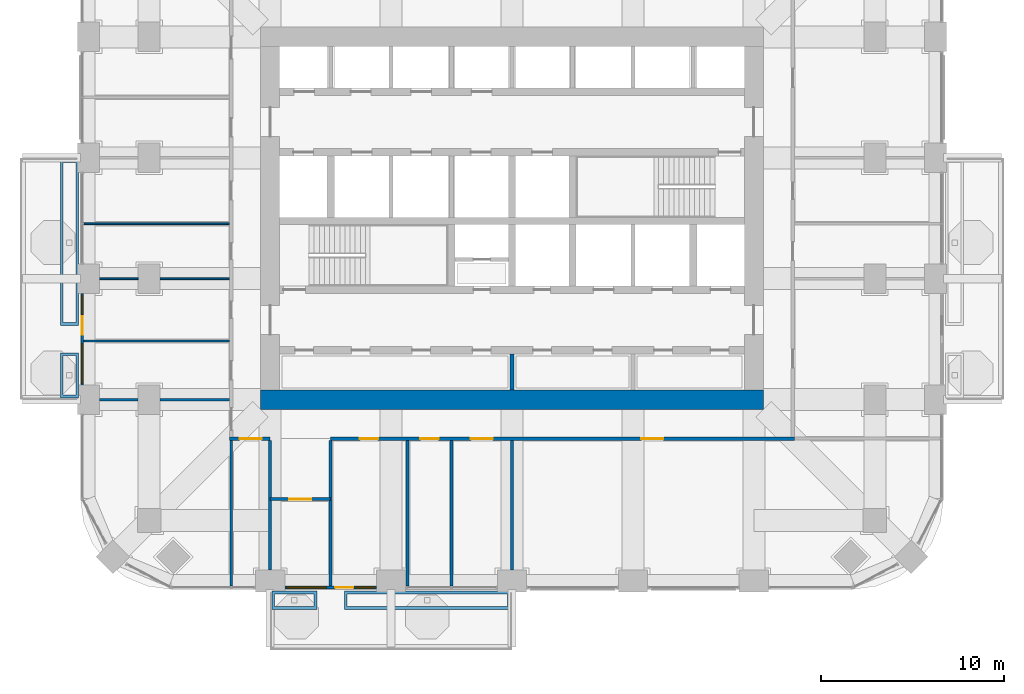
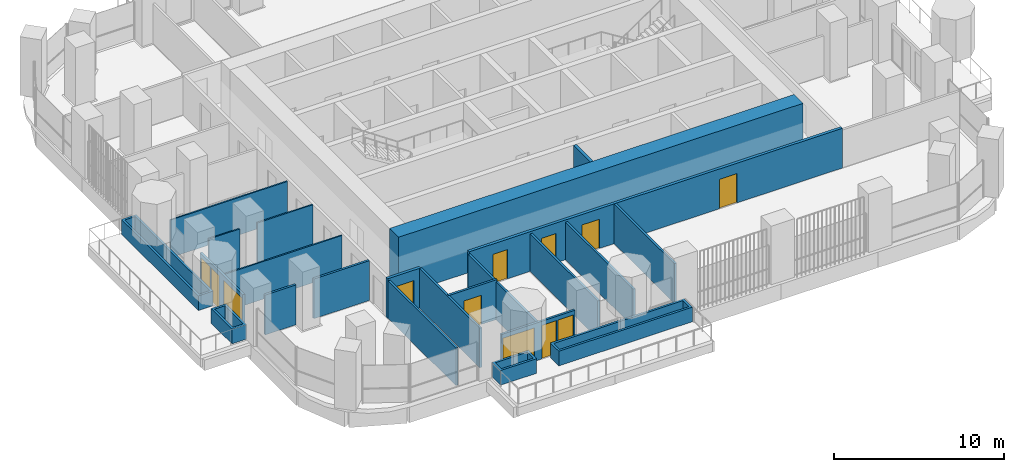
# One storey, part 11 of 19: 23 walls, 8 doors, 4 windows, 12 openings.
"""IFC4 building model written with IfcOpenShell, lengths in metres."""

import ifcopenshell
import ifcopenshell.guid

model = None  # the IFC model being written
_history = None  # IfcOwnerHistory: only IFC2X3 demands one
_inside = {}  # id of a spatial element -> (the spatial element, [elements in it])
_under = {}  # id of a project, library or spatial element -> (it, [spatial elements below it])
_declared = {}  # id of a project -> (the project, [libraries it declares])
_typed = {}  # id of a type object -> (the type object, [elements of that type])
_made_of = {}  # id of a material, layer set ... -> (it, [elements and type objects made of it])


def new_model(schema):
    """Start an empty IFC model of exactly this schema.

    Asked for "IFC4X3", IfcOpenShell would pick the latest addendum, in which some entities
    have other attributes; the version numbers below select the first issue.
    IFC2X3 requires an IfcOwnerHistory on every rooted entity: one is made here for all.
    """
    global model, _history
    if schema == "IFC4X3":
        model = ifcopenshell.file(schema_version=(4, 3, 0, 0))
    else:
        model = ifcopenshell.file(schema=schema)
    _inside.clear()
    _under.clear()
    _declared.clear()
    _typed.clear()
    _made_of.clear()
    _history = None
    if model.schema == "IFC2X3":
        org = make("IfcOrganization", Name="unknown")
        user = make(
            "IfcPersonAndOrganization",
            ThePerson=make("IfcPerson", FamilyName="unknown"),
            TheOrganization=org,
        )
        app = make(
            "IfcApplication",
            ApplicationDeveloper=org,
            Version="unknown",
            ApplicationFullName="unknown",
            ApplicationIdentifier="unknown",
        )
        _history = make(
            "IfcOwnerHistory",
            OwningUser=user,
            OwningApplication=app,
            ChangeAction="ADDED",
            CreationDate=0,
        )
    return model


def make(cls, **values):
    """One entity of the class cls with the attributes given. An attribute that is None is left unset."""
    return model.create_entity(
        cls, **{name: value for name, value in values.items() if value is not None}
    )


def rooted(cls, **values):
    """An entity with a GlobalId (a new one), such as an element, a storey or a relation."""
    return make(cls, GlobalId=ifcopenshell.guid.new(), OwnerHistory=_history, **values)


def si_unit(unit_type, name, prefix=None):
    """IfcSIUnit, for example si_unit("LENGTHUNIT", "METRE", prefix="MILLI")."""
    return make("IfcSIUnit", UnitType=unit_type, Prefix=prefix, Name=name)


def assignment(units):
    """IfcUnitAssignment: the units of a project."""
    return None if units is None else make("IfcUnitAssignment", Units=units)


def point(xyz):
    """IfcCartesianPoint."""
    return None if xyz is None else make("IfcCartesianPoint", Coordinates=xyz)


def direction(xyz):
    """IfcDirection."""
    return None if xyz is None else make("IfcDirection", DirectionRatios=xyz)


def frame(location, z_axis=None, x_axis=None):
    """IfcAxis2Placement3D, a coordinate frame: its origin and axes. An axis left out is left unset."""
    return make(
        "IfcAxis2Placement3D",
        Location=point(location),
        Axis=direction(z_axis),
        RefDirection=direction(x_axis),
    )


def frame_2d(location, x_axis=None):
    """IfcAxis2Placement2D, a coordinate frame in the plane: its origin and x axis."""
    return make(
        "IfcAxis2Placement2D", Location=point(location), RefDirection=direction(x_axis)
    )


def origin():
    """The frame at (0, 0, 0) with its axes left unset."""
    return frame((0.0, 0.0, 0.0))


def place(relative_to, where):
    """IfcLocalPlacement: puts the frame where relative to a parent placement (None: the world)."""
    return make(
        "IfcLocalPlacement", PlacementRelTo=relative_to, RelativePlacement=where
    )


def context(
    kind, dimensions, precision=None, world=None, true_north=None, identifier=None
):
    """IfcGeometricRepresentationContext, for example the 3D "Model" context."""
    return make(
        "IfcGeometricRepresentationContext",
        ContextIdentifier=identifier,
        ContextType=kind,
        CoordinateSpaceDimension=dimensions,
        Precision=precision,
        WorldCoordinateSystem=world,
        TrueNorth=true_north,
    )


def subcontext(parent, identifier, kind, view, scale=None):
    """IfcGeometricRepresentationSubContext, for example "Body" below "Model"."""
    return make(
        "IfcGeometricRepresentationSubContext",
        ContextIdentifier=identifier,
        ContextType=kind,
        ParentContext=parent,
        TargetScale=scale,
        TargetView=view,
    )


def project(units=None, contexts=None):
    """IfcProject with its units and contexts."""
    return rooted(
        "IfcProject",
        Name="project",
        RepresentationContexts=contexts,
        UnitsInContext=assignment(units),
    )


def spatial(cls, under=None, at=None, **own):
    """A site, building, storey or space (cls), placed at a placement, below another one or the project."""
    s = rooted(cls, ObjectPlacement=at, **own)
    if under is not None:
        _under.setdefault(under.id(), (under, []))[1].append(s)
    return s


def polyline(points):
    """IfcPolyline through the points."""
    return make("IfcPolyline", Points=[point(p) for p in points])


def profile(cls, at=None, kind="AREA", **sizes):
    """A parametric profile (cls). Its sizes go by their IFC names, for example OverallWidth=200.0."""
    return make(cls, ProfileType=kind, Position=at, **sizes)


def rectangle(**sizes):
    """IfcRectangleProfileDef."""
    return profile("IfcRectangleProfileDef", **sizes)


def outline(outer, holes=None, kind="AREA"):
    """IfcArbitraryClosedProfileDef: a profile drawn as a closed curve; with holes, ...WithVoids."""
    if holes is None:
        return make("IfcArbitraryClosedProfileDef", ProfileType=kind, OuterCurve=outer)
    return make(
        "IfcArbitraryProfileDefWithVoids",
        ProfileType=kind,
        OuterCurve=outer,
        InnerCurves=holes,
    )


def extrude(swept, where, along, depth):
    """IfcExtrudedAreaSolid: the profile swept, set in the frame where, extruded along a direction by depth."""
    return make(
        "IfcExtrudedAreaSolid",
        SweptArea=swept,
        Position=where,
        ExtrudedDirection=direction(along),
        Depth=depth,
    )


def shape(context_of_items, identifier, shape_type, items):
    """IfcShapeRepresentation: the items that make up one representation, for example the "Body"."""
    return make(
        "IfcShapeRepresentation",
        ContextOfItems=context_of_items,
        RepresentationIdentifier=identifier,
        RepresentationType=shape_type,
        Items=items,
    )


def material(Name=None, Category=None):
    """IfcMaterial."""
    return make("IfcMaterial", Name=Name, Category=Category)


def layer(
    of_material, thickness, ventilated=None, Name=None, Category=None, Priority=None
):
    """IfcMaterialLayer: one layer of a wall or slab, of a material (None: an air gap)."""
    return make(
        "IfcMaterialLayer",
        Material=of_material,
        LayerThickness=thickness,
        IsVentilated=ventilated,
        Name=Name,
        Category=Category,
        Priority=Priority,
    )


def layer_set(layers, Name=None):
    """IfcMaterialLayerSet."""
    return make("IfcMaterialLayerSet", MaterialLayers=layers, LayerSetName=Name)


def made_of(thing, what):
    """Note that an element or type object is made of a material, layer set ...; save() writes the relation."""
    if what is not None:
        _made_of.setdefault(what.id(), (what, []))[1].append(thing)
    return thing


def type_object(cls, material=None, **own):
    """A type object (cls), such as IfcWallType, which elements share."""
    return made_of(rooted(cls, **own), material)


def element(
    cls,
    number,
    at=None,
    inside=None,
    cuts=None,
    type_object=None,
    material=None,
    context=None,
    identifier="Body",
    shape_type=None,
    held_by="IfcProductDefinitionShape",
    body=None,
    shapes=None,
    **own,
):
    """One element of the class cls, such as IfcWall. Its Tag is "e" and its number.

    at: its placement. inside: the storey or other place that contains it. cuts: it is an
    opening in that element (IfcRelVoidsElement). A single representation is given by context,
    identifier, shape_type and body (its items); several are given by shapes. held_by: the class
    of the entity that holds the representations. save() writes the other relations.
    """
    e = rooted(cls, Tag="e%d" % number, ObjectPlacement=at, **own)
    if body is not None:
        shapes = [shape(context, identifier, shape_type, body)]
    if shapes is not None:
        e.Representation = make(held_by, Representations=shapes)
    if inside is not None:
        _inside.setdefault(inside.id(), (inside, []))[1].append(e)
    if cuts is not None:
        rooted(
            "IfcRelVoidsElement", RelatingBuildingElement=cuts, RelatedOpeningElement=e
        )
    if type_object is not None:
        _typed.setdefault(type_object.id(), (type_object, []))[1].append(e)
    return made_of(e, material)


def fill(opening, filler):
    """IfcRelFillsElement: the door or window that sits in an opening."""
    return rooted(
        "IfcRelFillsElement",
        RelatingOpeningElement=opening,
        RelatedBuildingElement=filler,
    )


def aggregate(whole, parts):
    """IfcRelAggregates: a whole, such as a stair, and the parts it consists of."""
    return rooted("IfcRelAggregates", RelatingObject=whole, RelatedObjects=parts)


def save(model, path):
    """Write the relations noted so far, then the file.

    IfcRelAggregates (storeys below a building ...), IfcRelContainedInSpatialStructure (elements
    in a storey), IfcRelDefinesByType, IfcRelAssociatesMaterial and IfcRelDeclares: one each for
    every whole, place, type object, material and project.
    """
    for whole, parts in _under.values():
        aggregate(whole, parts)
    for where, things in _inside.values():
        rooted(
            "IfcRelContainedInSpatialStructure",
            RelatedElements=things,
            RelatingStructure=where,
        )
    for kind, things in _typed.values():
        rooted("IfcRelDefinesByType", RelatedObjects=things, RelatingType=kind)
    for what, things in _made_of.values():
        rooted("IfcRelAssociatesMaterial", RelatedObjects=things, RelatingMaterial=what)
    for by, libraries in _declared.values():
        rooted("IfcRelDeclares", RelatingContext=by, RelatedDefinitions=libraries)
    model.write(path)


model = new_model("IFC4")

# Units and contexts
model_context = context("Model", 3, precision=1e-05, world=origin(), true_north=direction((0.0, 1.0)))
body_context = subcontext(model_context, "Body", "Model", "MODEL_VIEW")
ifc_project = project(units=[si_unit("LENGTHUNIT", "METRE"), si_unit("AREAUNIT", "SQUARE_METRE"), si_unit("VOLUMEUNIT", "CUBIC_METRE"), si_unit("PLANEANGLEUNIT", "RADIAN"), si_unit("MASSUNIT", "GRAM", prefix="KILO")], contexts=[model_context])

# Site, building, storey
site_placement = place(None, origin())
site = spatial("IfcSite", under=ifc_project, at=site_placement, CompositionType="ELEMENT")
building_placement = place(site_placement, origin())
building = spatial("IfcBuilding", under=site, at=building_placement, Name="Cobogo Forest Laboratory Tower", CompositionType="ELEMENT")
storey_placement = place(building_placement, frame((0.0, 0.0, 159.89990234375)))
storey = spatial("IfcBuildingStorey", under=building, at=storey_placement, Name="L36", CompositionType="ELEMENT", Elevation=159.89990234375)

# Wall
ifc_material_1 = material(Name="Concrete HA-50 (C50/60)", Category="concrete")
ifc_layer_1 = layer(ifc_material_1, 1.050048828125)
ifc_layer_set_1 = layer_set([ifc_layer_1], Name="CW1050 core outer wall 1050")
wall_type_1 = type_object("IfcWallType", Name="CW1050 core outer wall 1050", PredefinedType="SHEAR", material=ifc_layer_set_1)
wall_1_placement = place(storey_placement, frame((12.675048828125, 13.199951171875, 0.0), z_axis=(0.0, 0.0, 1.0), x_axis=(1.0, 0.0, 0.0)))
element("IfcWall", 1, at=wall_1_placement, inside=storey, type_object=wall_type_1, Name="Core wall CO-S L36", PredefinedType="SHEAR", context=body_context, shape_type="SweptSolid", body=[
    extrude(rectangle(XDim=27.449951171875, YDim=1.050048828125, at=frame_2d((13.72509765625, 0.0))), origin(), (0.0, 0.0, 1.0), 4.2001953125),
])

# Wall, openings, door, windows
ifc_material_2 = material(Name="Aluminium framed glazed screen", Category="aluminium")
ifc_layer_2 = layer(ifc_material_2, 0.14990234375)
ifc_layer_set_2 = layer_set([ifc_layer_2], Name="GS1 glazed door screen 150")
wall_type_2 = type_object("IfcWallType", Name="GS1 glazed door screen 150", PredefinedType="SOLIDWALL", material=ifc_layer_set_2)
wall_2_placement = place(storey_placement, frame((14.0, 2.949951171875, 0.0), z_axis=(0.0, 0.0, 1.0), x_axis=(1.0, 0.0, 0.0)))
wall_2 = element("IfcWall", 2, at=wall_2_placement, inside=storey, type_object=wall_type_2, Name="Door screen BAL-S1 L36", PredefinedType="SOLIDWALL", context=body_context, shape_type="SweptSolid", body=[
    extrude(rectangle(XDim=5.0, YDim=0.14990234375, at=frame_2d((2.5, 0.0))), origin(), (0.0, 0.0, 1.0), 2.7001953125),
])
opening_1_placement = place(wall_2_placement, frame((2.75, 0.0, 0.0)))
opening_1 = element("IfcOpeningElement", 3, at=opening_1_placement, cuts=wall_2, Name="Opening L36-D01", PredefinedType="OPENING", context=body_context, shape_type="SweptSolid", body=[
    extrude(rectangle(XDim=1.0, YDim=2.39990234375, at=frame_2d((0.5, 1.199951171875))), frame((0.0, 0.0849609375, 0.0), z_axis=(0.0, -1.0, 0.0), x_axis=(1.0, 0.0, 0.0)), (0.0, 0.0, 1.0), 0.169921875),
])
opening_2_placement = place(wall_2_placement, frame((0.10009765625, 0.0, 0.10009765625)))
opening_2 = element("IfcOpeningElement", 4, at=opening_2_placement, cuts=wall_2, Name="Opening L36-W01", PredefinedType="OPENING", context=body_context, shape_type="SweptSolid", body=[
    extrude(rectangle(XDim=2.14990234375, YDim=2.300048828125, at=frame_2d((1.074951171875, 1.14990234375))), frame((0.0, 0.0849609375, 0.0), z_axis=(0.0, -1.0, 0.0), x_axis=(1.0, 0.0, 0.0)), (0.0, 0.0, 1.0), 0.169921875),
])
opening_3_placement = place(wall_2_placement, frame((3.85009765625, 0.0, 0.10009765625)))
opening_3 = element("IfcOpeningElement", 5, at=opening_3_placement, cuts=wall_2, Name="Opening L36-W02", PredefinedType="OPENING", context=body_context, shape_type="SweptSolid", body=[
    extrude(rectangle(XDim=1.050048828125, YDim=2.300048828125, at=frame_2d((0.52490234375, 1.14990234375))), frame((0.0, 0.0849609375, 0.0), z_axis=(0.0, -1.0, 0.0), x_axis=(1.0, 0.0, 0.0)), (0.0, 0.0, 1.0), 0.169921875),
])
ifc_material_3 = material(Name="Aluminium glazed door", Category="aluminium")
door_type_1 = type_object("IfcDoorType", Name="DB1 balcony door 1000 glazed", OperationType="SINGLE_SWING_LEFT", PredefinedType="DOOR", material=ifc_material_3)
door_1_placement = place(opening_1_placement, origin())
door_1 = element("IfcDoor", 6, at=door_1_placement, inside=storey, type_object=door_type_1, Name="Door L36-BAL-S1", OperationType="SINGLE_SWING_RIGHT", OverallHeight=2.39990234375, OverallWidth=1.0, PredefinedType="DOOR", context=body_context, shape_type="SweptSolid", body=[
    extrude(rectangle(XDim=1.0, YDim=2.39990234375, at=frame_2d((0.5, 1.199951171875))), frame((0.0, 0.02490234375, 0.0), z_axis=(0.0, -1.0, 0.0), x_axis=(1.0, 0.0, 0.0)), (0.0, 0.0, 1.0), 0.050048828125),
])
fill(opening_1, door_1)
ifc_material_4 = material(Name="Aluminium framed glazing", Category="aluminium")
window_type_1 = type_object("IfcWindowType", Name="WG13 fixed glazed light 2150x2300", PartitioningType="SINGLE_PANEL", PredefinedType="WINDOW", material=ifc_material_4)
window_1_placement = place(opening_2_placement, origin())
window_1 = element("IfcWindow", 7, at=window_1_placement, inside=storey, type_object=window_type_1, Name="Window L36-BAL-S1-1", OverallHeight=2.300048828125, OverallWidth=2.14990234375, PartitioningType="SINGLE_PANEL", PredefinedType="WINDOW", context=body_context, shape_type="SweptSolid", body=[
    extrude(rectangle(XDim=2.14990234375, YDim=2.300048828125, at=frame_2d((1.074951171875, 1.14990234375))), frame((0.0, 0.030029296875, 0.0), z_axis=(0.0, -1.0, 0.0), x_axis=(1.0, 0.0, 0.0)), (0.0, 0.0, 1.0), 0.06005859375),
])
fill(opening_2, window_1)
window_type_2 = type_object("IfcWindowType", Name="WG14 fixed glazed light 1050x2300", PartitioningType="SINGLE_PANEL", PredefinedType="WINDOW", material=ifc_material_4)
window_2_placement = place(opening_3_placement, origin())
window_2 = element("IfcWindow", 8, at=window_2_placement, inside=storey, type_object=window_type_2, Name="Window L36-BAL-S1-2", OverallHeight=2.300048828125, OverallWidth=1.050048828125, PartitioningType="SINGLE_PANEL", PredefinedType="WINDOW", context=body_context, shape_type="SweptSolid", body=[
    extrude(rectangle(XDim=1.050048828125, YDim=2.300048828125, at=frame_2d((0.52490234375, 1.14990234375))), frame((0.0, 0.030029296875, 0.0), z_axis=(0.0, -1.0, 0.0), x_axis=(1.0, 0.0, 0.0)), (0.0, 0.0, 1.0), 0.06005859375),
])
fill(opening_3, window_2)

wall_3_placement = place(storey_placement, frame((2.949951171875, 19.0, 0.0), z_axis=(0.0, 0.0, 1.0), x_axis=(0.0, -1.0, 0.0)))
wall_3 = element("IfcWall", 9, at=wall_3_placement, inside=storey, type_object=wall_type_2, Name="Door screen BAL-W1 L36", PredefinedType="SOLIDWALL", context=body_context, shape_type="SweptSolid", body=[
    extrude(rectangle(XDim=5.0, YDim=0.14990234375, at=frame_2d((2.5, 0.0))), origin(), (0.0, 0.0, 1.0), 2.7001953125),
])
opening_4_placement = place(wall_3_placement, frame((1.25, 0.0, 0.0)))
opening_4 = element("IfcOpeningElement", 10, at=opening_4_placement, cuts=wall_3, Name="Opening L36-D19", PredefinedType="OPENING", context=body_context, shape_type="SweptSolid", body=[
    extrude(rectangle(XDim=1.0, YDim=2.39990234375, at=frame_2d((0.5, 1.199951171875))), frame((0.0, 0.0849609375, 0.0), z_axis=(0.0, -1.0, 0.0), x_axis=(1.0, 0.0, 0.0)), (0.0, 0.0, 1.0), 0.169921875),
])
opening_5_placement = place(wall_3_placement, frame((0.10009765625, 0.0, 0.10009765625)))
opening_5 = element("IfcOpeningElement", 11, at=opening_5_placement, cuts=wall_3, Name="Opening L36-W05", PredefinedType="OPENING", context=body_context, shape_type="SweptSolid", body=[
    extrude(rectangle(XDim=1.050048828125, YDim=2.300048828125, at=frame_2d((0.52490234375, 1.14990234375))), frame((0.0, 0.0849609375, 0.0), z_axis=(0.0, -1.0, 0.0), x_axis=(1.0, 0.0, 0.0)), (0.0, 0.0, 1.0), 0.169921875),
])
opening_6_placement = place(wall_3_placement, frame((2.75, 0.0, 0.10009765625)))
opening_6 = element("IfcOpeningElement", 12, at=opening_6_placement, cuts=wall_3, Name="Opening L36-W03", PredefinedType="OPENING", context=body_context, shape_type="SweptSolid", body=[
    extrude(rectangle(XDim=2.14990234375, YDim=2.300048828125, at=frame_2d((1.074951171875, 1.14990234375))), frame((0.0, 0.0849609375, 0.0), z_axis=(0.0, -1.0, 0.0), x_axis=(1.0, 0.0, 0.0)), (0.0, 0.0, 1.0), 0.169921875),
])
door_2_placement = place(opening_4_placement, origin())
door_2 = element("IfcDoor", 13, at=door_2_placement, inside=storey, type_object=door_type_1, Name="Door L36-BAL-W1", OperationType="SINGLE_SWING_LEFT", OverallHeight=2.39990234375, OverallWidth=1.0, PredefinedType="DOOR", context=body_context, shape_type="SweptSolid", body=[
    extrude(rectangle(XDim=1.0, YDim=2.39990234375, at=frame_2d((0.5, 1.199951171875))), frame((0.0, 0.02490234375, 0.0), z_axis=(0.0, -1.0, 0.0), x_axis=(1.0, 0.0, 0.0)), (0.0, 0.0, 1.0), 0.050048828125),
])
fill(opening_4, door_2)
window_3_placement = place(opening_6_placement, origin())
window_3 = element("IfcWindow", 14, at=window_3_placement, inside=storey, type_object=window_type_1, Name="Window L36-BAL-W1-2", OverallHeight=2.300048828125, OverallWidth=2.14990234375, PartitioningType="SINGLE_PANEL", PredefinedType="WINDOW", context=body_context, shape_type="SweptSolid", body=[
    extrude(rectangle(XDim=2.14990234375, YDim=2.300048828125, at=frame_2d((1.074951171875, 1.14990234375))), frame((0.0, 0.030029296875, 0.0), z_axis=(0.0, -1.0, 0.0), x_axis=(1.0, 0.0, 0.0)), (0.0, 0.0, 1.0), 0.06005859375),
])
fill(opening_6, window_3)
window_4_placement = place(opening_5_placement, origin())
window_4 = element("IfcWindow", 15, at=window_4_placement, inside=storey, type_object=window_type_2, Name="Window L36-BAL-W1-1", OverallHeight=2.300048828125, OverallWidth=1.050048828125, PartitioningType="SINGLE_PANEL", PredefinedType="WINDOW", context=body_context, shape_type="SweptSolid", body=[
    extrude(rectangle(XDim=1.050048828125, YDim=2.300048828125, at=frame_2d((0.52490234375, 1.14990234375))), frame((0.0, 0.030029296875, 0.0), z_axis=(0.0, -1.0, 0.0), x_axis=(1.0, 0.0, 0.0)), (0.0, 0.0, 1.0), 0.06005859375),
])
fill(opening_5, window_4)

# Wall
ifc_material_5 = material(Name="Gypsum board on steel studs", Category="steel")
ifc_layer_3 = layer(ifc_material_5, 0.14990234375)
ifc_layer_set_3 = layer_set([ifc_layer_3], Name="PT1 laboratory partition 150")
wall_type_3 = type_object("IfcWallType", Name="PT1 laboratory partition 150", PredefinedType="PARTITIONING", material=ifc_layer_set_3)
wall_4_placement = place(storey_placement, frame((11.074951171875, 3.030029296875, 0.0), z_axis=(0.0, 0.0, 1.0), x_axis=(0.0, 1.0, 0.0)))
element("IfcWall", 16, at=wall_4_placement, inside=storey, type_object=wall_type_3, Name="Partition PW-SW L36", PredefinedType="PARTITIONING", context=body_context, shape_type="SweptSolid", body=[
    extrude(rectangle(XDim=7.945068359375, YDim=0.14990234375, at=frame_2d((3.97265625, 0.0))), origin(), (0.0, 0.0, 1.0), 2.7001953125),
])

# Wall, opening, door
wall_5_placement = place(storey_placement, frame((13.199951171875, 7.77490234375, 0.0), z_axis=(0.0, 0.0, 1.0), x_axis=(1.0, 0.0, 0.0)))
wall_5 = element("IfcWall", 17, at=wall_5_placement, inside=storey, type_object=wall_type_3, Name="Partition NODE-S-1 L36", PredefinedType="PARTITIONING", context=body_context, shape_type="SweptSolid", body=[
    extrude(rectangle(XDim=3.300048828125, YDim=0.14990234375, at=frame_2d((1.64990234375, 0.0))), origin(), (0.0, 0.0, 1.0), 2.85009765625),
])
opening_7_placement = place(wall_5_placement, frame((1.050048828125, 0.0, 0.0)))
opening_7 = element("IfcOpeningElement", 18, at=opening_7_placement, cuts=wall_5, Name="Opening L36-D02", PredefinedType="OPENING", context=body_context, shape_type="SweptSolid", body=[
    extrude(rectangle(XDim=1.199951171875, YDim=2.10009765625, at=frame_2d((0.60009765625, 1.050048828125))), frame((0.0, 0.0849609375, 0.0), z_axis=(0.0, -1.0, 0.0), x_axis=(1.0, 0.0, 0.0)), (0.0, 0.0, 1.0), 0.169921875),
])
ifc_material_6 = material(Name="Timber door", Category="wood")
door_type_2 = type_object("IfcDoorType", Name="D2 laboratory door 1200 unequal pair", OperationType="DOUBLE_DOOR_SINGLE_SWING", PredefinedType="DOOR", material=ifc_material_6)
door_3_placement = place(opening_7_placement, origin())
door_3 = element("IfcDoor", 19, at=door_3_placement, inside=storey, type_object=door_type_2, Name="Door L36-S2", OperationType="DOUBLE_DOOR_SINGLE_SWING", OverallHeight=2.10009765625, OverallWidth=1.199951171875, PredefinedType="DOOR", context=body_context, shape_type="SweptSolid", body=[
    extrude(rectangle(XDim=1.199951171875, YDim=2.10009765625, at=frame_2d((0.60009765625, 1.050048828125))), frame((0.0, 0.02490234375, 0.0), z_axis=(0.0, -1.0, 0.0), x_axis=(1.0, 0.0, 0.0)), (0.0, 0.0, 1.0), 0.050048828125),
])
fill(opening_7, door_3)

# Walls
for number, where, z_axis, x_axis, name in (
    (20, (20.699951171875, 3.030029296875, 0.0), (0.0, 0.0, 1.0), (0.0, 1.0, 0.0), "Partition SVC-S1-1 L36"),
    (21, (23.10009765625, 3.030029296875, 0.0), (0.0, 0.0, 1.0), (0.0, 1.0, 0.0), "Partition SVC-S2-1 L36"),
):
    element("IfcWall", number, at=place(storey_placement, frame(where, z_axis=z_axis, x_axis=x_axis)), inside=storey, type_object=wall_type_3, Name=name, PredefinedType="PARTITIONING", context=body_context, shape_type="SweptSolid", body=[
        extrude(rectangle(XDim=7.945068359375, YDim=0.14990234375, at=frame_2d((3.97265625, 0.0))), origin(), (0.0, 0.0, 1.0), 2.7001953125),
    ])
wall_6_placement = place(storey_placement, frame((13.199951171875, 3.89990234375, 0.0), z_axis=(0.0, 0.0, 1.0), x_axis=(0.0, 1.0, 0.0)))
element("IfcWall", 22, at=wall_6_placement, inside=storey, type_object=wall_type_3, Name="Partition CUT-S13.2-1 L36", PredefinedType="PARTITIONING", context=body_context, shape_type="SweptSolid", body=[
    extrude(rectangle(XDim=7.0751953125, YDim=0.14990234375, at=frame_2d((3.53759765625, 0.0))), origin(), (0.0, 0.0, 1.0), 2.85009765625),
])
wall_7_placement = place(storey_placement, frame((16.5, 3.030029296875, 0.0), z_axis=(0.0, 0.0, 1.0), x_axis=(0.0, 1.0, 0.0)))
element("IfcWall", 23, at=wall_7_placement, inside=storey, type_object=wall_type_3, Name="Partition CUT-S16.5-1 L36", PredefinedType="PARTITIONING", context=body_context, shape_type="SweptSolid", body=[
    extrude(rectangle(XDim=7.945068359375, YDim=0.14990234375, at=frame_2d((3.97265625, 0.0))), origin(), (0.0, 0.0, 1.0), 2.7001953125),
])
wall_8_placement = place(storey_placement, frame((26.39990234375, 3.89990234375, 0.0), z_axis=(0.0, 0.0, 1.0), x_axis=(0.0, 1.0, 0.0)))
element("IfcWall", 24, at=wall_8_placement, inside=storey, type_object=wall_type_3, Name="Partition CUT-S26.4-1 L36", PredefinedType="PARTITIONING", context=body_context, shape_type="SweptSolid", body=[
    extrude(rectangle(XDim=7.0751953125, YDim=0.14990234375, at=frame_2d((3.53759765625, 0.0))), origin(), (0.0, 0.0, 1.0), 2.85009765625),
])
wall_9_placement = place(storey_placement, frame((3.89990234375, 13.199951171875, 0.0), z_axis=(0.0, 0.0, 1.0), x_axis=(1.0, 0.0, 0.0)))
element("IfcWall", 25, at=wall_9_placement, inside=storey, type_object=wall_type_3, Name="Partition CUT-W13.2-1 L36", PredefinedType="PARTITIONING", context=body_context, shape_type="SweptSolid", body=[
    extrude(rectangle(XDim=2.10009765625, YDim=0.14990234375, at=frame_2d((1.050048828125, 0.0))), origin(), (0.0, 0.0, 1.0), 2.85009765625),
])
wall_10_placement = place(storey_placement, frame((7.199951171875, 13.199951171875, 0.0), z_axis=(0.0, 0.0, 1.0), x_axis=(1.0, 0.0, 0.0)))
element("IfcWall", 26, at=wall_10_placement, inside=storey, type_object=wall_type_3, Name="Partition CUT-W13.2-2 L36", PredefinedType="PARTITIONING", context=body_context, shape_type="SweptSolid", body=[
    extrude(rectangle(XDim=3.775146484375, YDim=0.14990234375, at=frame_2d((1.8876953125, 0.0))), origin(), (0.0, 0.0, 1.0), 2.85009765625),
])

# Wall, opening, door
ifc_layer_4 = layer(ifc_material_5, 0.199951171875)
ifc_layer_set_4 = layer_set([ifc_layer_4], Name="PT2 fire-rated corridor partition 200")
wall_type_4 = type_object("IfcWallType", Name="PT2 fire-rated corridor partition 200", PredefinedType="PARTITIONING", material=ifc_layer_set_4)
wall_11_placement = place(storey_placement, frame((10.97509765625, 11.074951171875, 0.0), z_axis=(0.0, 0.0, 1.0), x_axis=(1.0, 0.0, 0.0)))
wall_11 = element("IfcWall", 27, at=wall_11_placement, inside=storey, type_object=wall_type_4, Name="Partition CORR-S-1 L36", PredefinedType="PARTITIONING", context=body_context, shape_type="SweptSolid", body=[
    extrude(rectangle(XDim=2.224853515625, YDim=0.199951171875, at=frame_2d((1.1123046875, 0.0))), origin(), (0.0, 0.0, 1.0), 2.85009765625),
])
opening_8_placement = place(wall_11_placement, frame((0.5625, 0.0, 0.0)))
opening_8 = element("IfcOpeningElement", 28, at=opening_8_placement, cuts=wall_11, Name="Opening L36-D03", PredefinedType="OPENING", context=body_context, shape_type="SweptSolid", body=[
    extrude(rectangle(XDim=1.199951171875, YDim=2.10009765625, at=frame_2d((0.60009765625, 1.050048828125))), frame((0.0, 0.10986328125, 0.0), z_axis=(0.0, -1.0, 0.0), x_axis=(1.0, 0.0, 0.0)), (0.0, 0.0, 1.0), 0.219970703125),
])
door_4_placement = place(opening_8_placement, origin())
door_4 = element("IfcDoor", 29, at=door_4_placement, inside=storey, type_object=door_type_2, Name="Door L36-S1", OperationType="DOUBLE_DOOR_SINGLE_SWING", OverallHeight=2.10009765625, OverallWidth=1.199951171875, PredefinedType="DOOR", context=body_context, shape_type="SweptSolid", body=[
    extrude(rectangle(XDim=1.199951171875, YDim=2.10009765625, at=frame_2d((0.60009765625, 1.050048828125))), frame((0.0, 0.02490234375, 0.0), z_axis=(0.0, -1.0, 0.0), x_axis=(1.0, 0.0, 0.0)), (0.0, 0.0, 1.0), 0.050048828125),
])
fill(opening_8, door_4)

# Wall, openings, doors
wall_12_placement = place(storey_placement, frame((16.5, 11.074951171875, 0.0), z_axis=(0.0, 0.0, 1.0), x_axis=(1.0, 0.0, 0.0)))
wall_12 = element("IfcWall", 30, at=wall_12_placement, inside=storey, type_object=wall_type_4, Name="Partition CORR-S-2 L36", PredefinedType="PARTITIONING", context=body_context, shape_type="SweptSolid", body=[
    extrude(rectangle(XDim=25.324951171875, YDim=0.199951171875, at=frame_2d((12.66259765625, 0.0))), origin(), (0.0, 0.0, 1.0), 2.85009765625),
])
opening_9_placement = place(wall_12_placement, frame((1.60009765625, 0.0, 0.0)))
opening_9 = element("IfcOpeningElement", 31, at=opening_9_placement, cuts=wall_12, Name="Opening L36-D04", PredefinedType="OPENING", context=body_context, shape_type="SweptSolid", body=[
    extrude(rectangle(XDim=1.0, YDim=2.10009765625, at=frame_2d((0.5, 1.050048828125))), frame((0.0, 0.10986328125, 0.0), z_axis=(0.0, -1.0, 0.0), x_axis=(1.0, 0.0, 0.0)), (0.0, 0.0, 1.0), 0.219970703125),
])
opening_10_placement = place(wall_12_placement, frame((4.89990234375, 0.0, 0.0)))
opening_10 = element("IfcOpeningElement", 32, at=opening_10_placement, cuts=wall_12, Name="Opening L36-D05", PredefinedType="OPENING", context=body_context, shape_type="SweptSolid", body=[
    extrude(rectangle(XDim=1.0, YDim=2.10009765625, at=frame_2d((0.5, 1.050048828125))), frame((0.0, 0.10986328125, 0.0), z_axis=(0.0, -1.0, 0.0), x_axis=(1.0, 0.0, 0.0)), (0.0, 0.0, 1.0), 0.219970703125),
])
opening_11_placement = place(wall_12_placement, frame((7.64990234375, 0.0, 0.0)))
opening_11 = element("IfcOpeningElement", 33, at=opening_11_placement, cuts=wall_12, Name="Opening L36-D06", PredefinedType="OPENING", context=body_context, shape_type="SweptSolid", body=[
    extrude(rectangle(XDim=1.199951171875, YDim=2.10009765625, at=frame_2d((0.60009765625, 1.050048828125))), frame((0.0, 0.10986328125, 0.0), z_axis=(0.0, -1.0, 0.0), x_axis=(1.0, 0.0, 0.0)), (0.0, 0.0, 1.0), 0.219970703125),
])
opening_12_placement = place(wall_12_placement, frame((16.96240234375, 0.0, 0.0)))
opening_12 = element("IfcOpeningElement", 34, at=opening_12_placement, cuts=wall_12, Name="Opening L36-D07", PredefinedType="OPENING", context=body_context, shape_type="SweptSolid", body=[
    extrude(rectangle(XDim=1.199951171875, YDim=2.10009765625, at=frame_2d((0.60009765625, 1.050048828125))), frame((0.0, 0.10986328125, 0.0), z_axis=(0.0, -1.0, 0.0), x_axis=(1.0, 0.0, 0.0)), (0.0, 0.0, 1.0), 0.219970703125),
])
door_5_placement = place(opening_11_placement, origin())
door_5 = element("IfcDoor", 35, at=door_5_placement, inside=storey, type_object=door_type_2, Name="Door L36-S3", OperationType="DOUBLE_DOOR_SINGLE_SWING", OverallHeight=2.10009765625, OverallWidth=1.199951171875, PredefinedType="DOOR", context=body_context, shape_type="SweptSolid", body=[
    extrude(rectangle(XDim=1.199951171875, YDim=2.10009765625, at=frame_2d((0.60009765625, 1.050048828125))), frame((0.0, 0.02490234375, 0.0), z_axis=(0.0, -1.0, 0.0), x_axis=(1.0, 0.0, 0.0)), (0.0, 0.0, 1.0), 0.050048828125),
])
fill(opening_11, door_5)
door_6_placement = place(opening_12_placement, origin())
door_6 = element("IfcDoor", 36, at=door_6_placement, inside=storey, type_object=door_type_2, Name="Door L36-S4", OperationType="DOUBLE_DOOR_SINGLE_SWING", OverallHeight=2.10009765625, OverallWidth=1.199951171875, PredefinedType="DOOR", context=body_context, shape_type="SweptSolid", body=[
    extrude(rectangle(XDim=1.199951171875, YDim=2.10009765625, at=frame_2d((0.60009765625, 1.050048828125))), frame((0.0, 0.02490234375, 0.0), z_axis=(0.0, -1.0, 0.0), x_axis=(1.0, 0.0, 0.0)), (0.0, 0.0, 1.0), 0.050048828125),
])
fill(opening_12, door_6)
ifc_material_7 = material(Name="Timber fire door", Category="wood")
door_type_3 = type_object("IfcDoorType", Name="FD2 fire door 1000 EI2 30", OperationType="SINGLE_SWING_LEFT", PredefinedType="DOOR", material=ifc_material_7)
door_7_placement = place(opening_9_placement, origin())
door_7 = element("IfcDoor", 37, at=door_7_placement, inside=storey, type_object=door_type_3, Name="Door L36-MTG", OperationType="SINGLE_SWING_LEFT", OverallHeight=2.10009765625, OverallWidth=1.0, PredefinedType="DOOR", context=body_context, shape_type="SweptSolid", body=[
    extrude(rectangle(XDim=1.0, YDim=2.10009765625, at=frame_2d((0.5, 1.050048828125))), frame((0.0, 0.02490234375, 0.0), z_axis=(0.0, -1.0, 0.0), x_axis=(1.0, 0.0, 0.0)), (0.0, 0.0, 1.0), 0.050048828125),
])
fill(opening_9, door_7)
door_8_placement = place(opening_10_placement, origin())
door_8 = element("IfcDoor", 38, at=door_8_placement, inside=storey, type_object=door_type_3, Name="Door L36-PAN", OperationType="SINGLE_SWING_LEFT", OverallHeight=2.10009765625, OverallWidth=1.0, PredefinedType="DOOR", context=body_context, shape_type="SweptSolid", body=[
    extrude(rectangle(XDim=1.0, YDim=2.10009765625, at=frame_2d((0.5, 1.050048828125))), frame((0.0, 0.02490234375, 0.0), z_axis=(0.0, -1.0, 0.0), x_axis=(1.0, 0.0, 0.0)), (0.0, 0.0, 1.0), 0.050048828125),
])
fill(opening_10, door_8)

# Walls
ifc_layer_5 = layer(ifc_material_5, 0.10009765625)
ifc_layer_set_5 = layer_set([ifc_layer_5], Name="PT3 toilet partition 100")
wall_type_5 = type_object("IfcWallType", Name="PT3 toilet partition 100", PredefinedType="PARTITIONING", material=ifc_layer_set_5)
wall_13_placement = place(storey_placement, frame((3.030029296875, 16.39990234375, 0.0), z_axis=(0.0, 0.0, 1.0), x_axis=(1.0, 0.0, 0.0)))
element("IfcWall", 39, at=wall_13_placement, inside=storey, type_object=wall_type_5, Name="Partition SVC-W1-1 L36", PredefinedType="PARTITIONING", context=body_context, shape_type="SweptSolid", body=[
    extrude(rectangle(XDim=7.945068359375, YDim=0.10009765625, at=frame_2d((3.97265625, 0.0))), origin(), (0.0, 0.0, 1.0), 2.7001953125),
])
wall_14_placement = place(storey_placement, frame((3.89990234375, 19.800048828125, 0.0), z_axis=(0.0, 0.0, 1.0), x_axis=(1.0, 0.0, 0.0)))
element("IfcWall", 40, at=wall_14_placement, inside=storey, type_object=wall_type_5, Name="Partition SVC-W2-1 L36", PredefinedType="PARTITIONING", context=body_context, shape_type="SweptSolid", body=[
    extrude(rectangle(XDim=2.10009765625, YDim=0.10009765625, at=frame_2d((1.050048828125, 0.0))), origin(), (0.0, 0.0, 1.0), 2.85009765625),
])
wall_15_placement = place(storey_placement, frame((7.199951171875, 19.800048828125, 0.0), z_axis=(0.0, 0.0, 1.0), x_axis=(1.0, 0.0, 0.0)))
element("IfcWall", 41, at=wall_15_placement, inside=storey, type_object=wall_type_5, Name="Partition SVC-W2-2 L36", PredefinedType="PARTITIONING", context=body_context, shape_type="SweptSolid", body=[
    extrude(rectangle(XDim=3.775146484375, YDim=0.10009765625, at=frame_2d((1.8876953125, 0.0))), origin(), (0.0, 0.0, 1.0), 2.85009765625),
])
wall_16_placement = place(storey_placement, frame((3.030029296875, 22.800048828125, 0.0), z_axis=(0.0, 0.0, 1.0), x_axis=(1.0, 0.0, 0.0)))
element("IfcWall", 42, at=wall_16_placement, inside=storey, type_object=wall_type_5, Name="Partition SVC-W3-1 L36", PredefinedType="PARTITIONING", context=body_context, shape_type="SweptSolid", body=[
    extrude(rectangle(XDim=7.945068359375, YDim=0.10009765625, at=frame_2d((3.97265625, 0.0))), origin(), (0.0, 0.0, 1.0), 2.7001953125),
])
ifc_material_8 = material(Name="Concrete HA-40 (C40/50)", Category="concrete")
ifc_layer_6 = layer(ifc_material_8, 0.14990234375)
ifc_layer_set_6 = layer_set([ifc_layer_6], Name="Planter box 1000x1050")
wall_type_6 = type_object("IfcWallType", Name="Planter box 1000x1050", PredefinedType="USERDEFINED", material=ifc_layer_set_6)
wall_17_placement = place(storey_placement, origin())
element("IfcWall", 43, at=wall_17_placement, inside=storey, type_object=wall_type_6, Name="Planter BAL-S1-1 L36", ObjectType="PLANTER", PredefinedType="USERDEFINED", context=body_context, shape_type="SweptSolid", body=[
    extrude(outline(polyline([(13.300048828125, 1.75), (15.75, 1.75), (15.75, 2.75), (13.300048828125, 2.75), (13.300048828125, 1.75)]), holes=[polyline([(13.449951171875, 1.89990234375), (15.60009765625, 1.89990234375), (15.60009765625, 2.60009765625), (13.449951171875, 2.60009765625), (13.449951171875, 1.89990234375)])]), origin(), (0.0, 0.0, 1.0), 1.050048828125),
])
wall_18_placement = place(storey_placement, origin())
element("IfcWall", 44, at=wall_18_placement, inside=storey, type_object=wall_type_6, Name="Planter BAL-S1-2 L36", ObjectType="PLANTER", PredefinedType="USERDEFINED", context=body_context, shape_type="SweptSolid", body=[
    extrude(outline(polyline([(17.25, 1.75), (26.300048828125, 1.75), (26.300048828125, 2.75), (17.25, 2.75), (17.25, 1.75)]), holes=[polyline([(17.39990234375, 1.89990234375), (26.14990234375, 1.89990234375), (26.14990234375, 2.60009765625), (17.39990234375, 2.60009765625), (17.39990234375, 1.89990234375)])]), origin(), (0.0, 0.0, 1.0), 1.050048828125),
])
wall_19_placement = place(storey_placement, origin())
element("IfcWall", 45, at=wall_19_placement, inside=storey, type_object=wall_type_6, Name="Planter BAL-W1-1 L36", ObjectType="PLANTER", PredefinedType="USERDEFINED", context=body_context, shape_type="SweptSolid", body=[
    extrude(outline(polyline([(1.75, 13.300048828125), (2.75, 13.300048828125), (2.75, 15.75), (1.75, 15.75), (1.75, 13.300048828125)]), holes=[polyline([(1.89990234375, 13.449951171875), (2.60009765625, 13.449951171875), (2.60009765625, 15.60009765625), (1.89990234375, 15.60009765625), (1.89990234375, 13.449951171875)])]), origin(), (0.0, 0.0, 1.0), 1.050048828125),
])
wall_20_placement = place(storey_placement, origin())
element("IfcWall", 46, at=wall_20_placement, inside=storey, type_object=wall_type_6, Name="Planter BAL-W1-2 L36", ObjectType="PLANTER", PredefinedType="USERDEFINED", context=body_context, shape_type="SweptSolid", body=[
    extrude(outline(polyline([(1.75, 17.25), (2.75, 17.25), (2.75, 26.300048828125), (1.75, 26.300048828125), (1.75, 17.25)]), holes=[polyline([(1.89990234375, 17.39990234375), (2.60009765625, 17.39990234375), (2.60009765625, 26.14990234375), (1.89990234375, 26.14990234375), (1.89990234375, 17.39990234375)])]), origin(), (0.0, 0.0, 1.0), 1.050048828125),
])
ifc_material_9 = material(Name="Concrete block", Category="concrete")
ifc_layer_7 = layer(ifc_material_9, 0.199951171875)
ifc_layer_set_7 = layer_set([ifc_layer_7], Name="SW200 lift shaft separator 200")
wall_type_7 = type_object("IfcWallType", Name="SW200 lift shaft separator 200", PredefinedType="PARTITIONING", material=ifc_layer_set_7)
wall_21_placement = place(storey_placement, frame((26.39990234375, 13.72509765625, 0.0), z_axis=(0.0, 0.0, 1.0), x_axis=(0.0, 1.0, 0.0)))
element("IfcWall", 47, at=wall_21_placement, inside=storey, type_object=wall_type_7, Name="Core wall SEP-S4 L36", PredefinedType="PARTITIONING", context=body_context, shape_type="SweptSolid", body=[
    extrude(rectangle(XDim=1.974853515625, YDim=0.199951171875, at=frame_2d((0.9873046875, 0.0))), origin(), (0.0, 0.0, 1.0), 4.2001953125),
])

save(model, "model.ifc")
